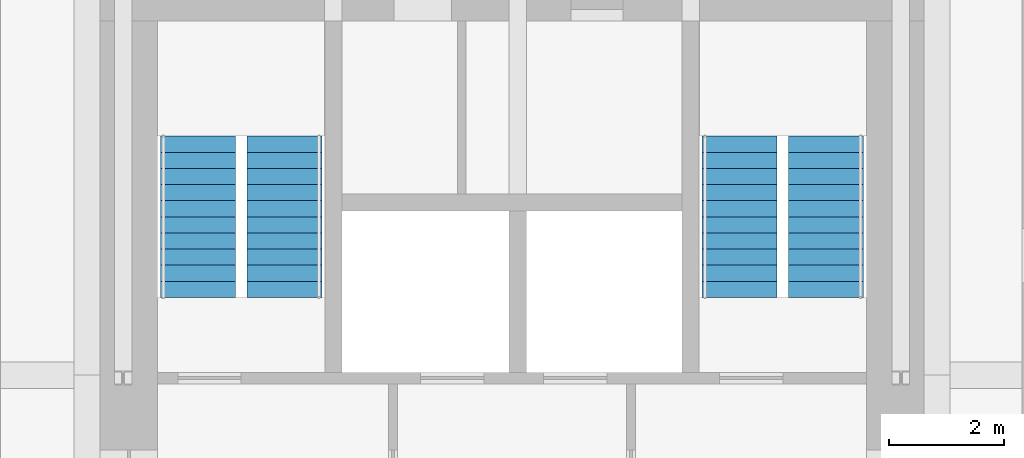
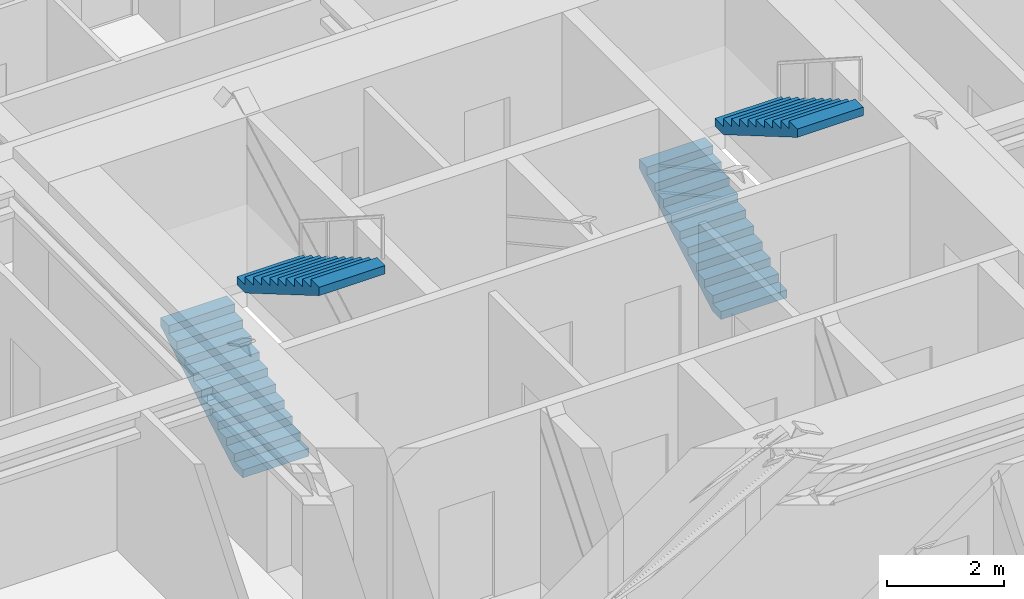
# One storey, part 9 of 10: 4 stair flights, 2 elements without a shape of their own.
"""IFC4 building model written with IfcOpenShell, lengths in metres."""

from ifc_helpers import new_model, si_unit, direction, frame, origin, place, context, subcontext, project, spatial, polyline, outline, extrude, material, type_object, element, aggregate, save


model = new_model("IFC4")

# Units and contexts
model_context = context("Model", 3, precision=1e-05, world=origin(), true_north=direction((0.0, 1.0)))
body_context = subcontext(model_context, "Body", "Model", "MODEL_VIEW")
ifc_project = project(units=[si_unit("LENGTHUNIT", "METRE"), si_unit("AREAUNIT", "SQUARE_METRE"), si_unit("VOLUMEUNIT", "CUBIC_METRE"), si_unit("PLANEANGLEUNIT", "RADIAN"), si_unit("MASSUNIT", "GRAM", prefix="KILO")], contexts=[model_context])

# Site, building, storey
site_placement = place(None, origin())
site = spatial("IfcSite", under=ifc_project, at=site_placement, CompositionType="ELEMENT")
building_placement = place(site_placement, origin())
building = spatial("IfcBuilding", under=site, at=building_placement, Name="Nyansa Garden Tower", CompositionType="ELEMENT")
storey_placement = place(building_placement, frame((0.0, 0.0, 142.199951171875)))
storey = spatial("IfcBuildingStorey", under=building, at=storey_placement, Name="L38", CompositionType="ELEMENT", Elevation=142.199951171875)

# Stair, stair flights
ifc_material_1 = material(Name="Precast concrete C40/50", Category="concrete")
stair_type_1 = type_object("IfcStairType", Name="Stair S1 164x280", PredefinedType="HALF_TURN_STAIR", material=ifc_material_1)
stair_1_placement = place(storey_placement, origin())
stair_1 = element("IfcStair", 1, at=stair_1_placement, inside=storey, type_object=stair_type_1, Name="Stair S1 L38", PredefinedType="HALF_TURN_STAIR")
ifc_material_2 = material(Name="Precast concrete C40/50", Category="concrete")
stair_flight_type_1 = type_object("IfcStairFlightType", Name="Stair flight S1 164x280x11", PredefinedType="STRAIGHT", material=ifc_material_2)
stair_flight_1_placement = place(storey_placement, frame((14.800048828125, 21.60009765625, 0.0), z_axis=(0.0, 0.0, 1.0), x_axis=(0.0, 1.0, 0.0)))
stair_flight_1 = element("IfcStairFlight", 2, at=stair_flight_1_placement, type_object=stair_flight_type_1, Name="S1 flight 1", NumberOfRisers=11, NumberOfTreads=10, PredefinedType="STRAIGHT", RiserHeight=0.163636364, TreadLength=0.28, context=body_context, shape_type="SweptSolid", body=[
    extrude(outline(polyline([(0.0, 0.0), (0.0, 0.16357421875), (0.280029296875, 0.16357421875), (0.280029296875, 0.327392578125), (0.56005859375, 0.327392578125), (0.56005859375, 0.490966796875), (0.840087890625, 0.490966796875), (0.840087890625, 0.654541015625), (1.1201171875, 0.654541015625), (1.1201171875, 0.818115234375), (1.39990234375, 0.818115234375), (1.39990234375, 0.98193359375), (1.679931640625, 0.98193359375), (1.679931640625, 1.1455078125), (1.9599609375, 1.1455078125), (1.9599609375, 1.30908203125), (2.239990234375, 1.30908203125), (2.239990234375, 1.47265625), (2.52001953125, 1.47265625), (2.52001953125, 1.636474609375), (2.800048828125, 1.636474609375), (2.800048828125, 1.800048828125), (2.800048828125, 1.462646484375), (0.297119140625, 0.0), (0.0, 0.0)])), frame((0.0, 0.64990234375, 0.0), z_axis=(0.0, -1.0, 0.0), x_axis=(1.0, 0.0, 0.0)), (0.0, 0.0, 1.0), 1.300048828125),
])
stair_flight_2_placement = place(storey_placement, frame((16.300048828125, 24.39990234375, 1.800048828125), z_axis=(0.0, 0.0, 1.0), x_axis=(0.0, -1.0, 0.0)))
stair_flight_2 = element("IfcStairFlight", 3, at=stair_flight_2_placement, type_object=stair_flight_type_1, Name="S1 flight 2", NumberOfRisers=11, NumberOfTreads=10, PredefinedType="STRAIGHT", RiserHeight=0.163636364, TreadLength=0.28, context=body_context, shape_type="SweptSolid", body=[
    extrude(outline(polyline([(0.0, 0.0), (0.0, 0.16357421875), (0.280029296875, 0.16357421875), (0.280029296875, 0.327392578125), (0.56005859375, 0.327392578125), (0.56005859375, 0.490966796875), (0.840087890625, 0.490966796875), (0.840087890625, 0.654541015625), (1.1201171875, 0.654541015625), (1.1201171875, 0.818115234375), (1.39990234375, 0.818115234375), (1.39990234375, 0.98193359375), (1.679931640625, 0.98193359375), (1.679931640625, 1.1455078125), (1.9599609375, 1.1455078125), (1.9599609375, 1.30908203125), (2.239990234375, 1.30908203125), (2.239990234375, 1.47265625), (2.52001953125, 1.47265625), (2.52001953125, 1.636474609375), (2.800048828125, 1.636474609375), (2.800048828125, 1.800048828125), (2.800048828125, 1.462646484375), (0.297119140625, 0.0), (0.0, 0.0)])), frame((0.0, 0.64990234375, 0.0), z_axis=(0.0, -1.0, 0.0), x_axis=(1.0, 0.0, 0.0)), (0.0, 0.0, 1.0), 1.300048828125),
])
aggregate(stair_1, [stair_flight_1, stair_flight_2])

ifc_material_3 = material(Name="Precast concrete C40/50", Category="concrete")
stair_type_2 = type_object("IfcStairType", Name="Stair S2 164x280", PredefinedType="HALF_TURN_STAIR", material=ifc_material_3)
stair_2_placement = place(storey_placement, origin())
stair_2 = element("IfcStair", 4, at=stair_2_placement, inside=storey, type_object=stair_type_2, Name="Stair S2 L38", PredefinedType="HALF_TURN_STAIR")
ifc_material_4 = material(Name="Precast concrete C40/50", Category="concrete")
stair_flight_type_2 = type_object("IfcStairFlightType", Name="Stair flight S2 164x280x11", PredefinedType="STRAIGHT", material=ifc_material_4)
stair_flight_3_placement = place(storey_placement, frame((24.199951171875, 21.60009765625, 0.0), z_axis=(0.0, 0.0, 1.0), x_axis=(0.0, 1.0, 0.0)))
stair_flight_3 = element("IfcStairFlight", 5, at=stair_flight_3_placement, type_object=stair_flight_type_2, Name="S2 flight 1", NumberOfRisers=11, NumberOfTreads=10, PredefinedType="STRAIGHT", RiserHeight=0.163636364, TreadLength=0.28, context=body_context, shape_type="SweptSolid", body=[
    extrude(outline(polyline([(0.0, 0.0), (0.0, 0.16357421875), (0.280029296875, 0.16357421875), (0.280029296875, 0.327392578125), (0.56005859375, 0.327392578125), (0.56005859375, 0.490966796875), (0.840087890625, 0.490966796875), (0.840087890625, 0.654541015625), (1.1201171875, 0.654541015625), (1.1201171875, 0.818115234375), (1.39990234375, 0.818115234375), (1.39990234375, 0.98193359375), (1.679931640625, 0.98193359375), (1.679931640625, 1.1455078125), (1.9599609375, 1.1455078125), (1.9599609375, 1.30908203125), (2.239990234375, 1.30908203125), (2.239990234375, 1.47265625), (2.52001953125, 1.47265625), (2.52001953125, 1.636474609375), (2.800048828125, 1.636474609375), (2.800048828125, 1.800048828125), (2.800048828125, 1.462646484375), (0.297119140625, 0.0), (0.0, 0.0)])), frame((0.0, 0.64990234375, 0.0), z_axis=(0.0, -1.0, 0.0), x_axis=(1.0, 0.0, 0.0)), (0.0, 0.0, 1.0), 1.300048828125),
])
stair_flight_4_placement = place(storey_placement, frame((25.699951171875, 24.39990234375, 1.800048828125), z_axis=(0.0, 0.0, 1.0), x_axis=(0.0, -1.0, 0.0)))
stair_flight_4 = element("IfcStairFlight", 6, at=stair_flight_4_placement, type_object=stair_flight_type_2, Name="S2 flight 2", NumberOfRisers=11, NumberOfTreads=10, PredefinedType="STRAIGHT", RiserHeight=0.163636364, TreadLength=0.28, context=body_context, shape_type="SweptSolid", body=[
    extrude(outline(polyline([(0.0, 0.0), (0.0, 0.16357421875), (0.280029296875, 0.16357421875), (0.280029296875, 0.327392578125), (0.56005859375, 0.327392578125), (0.56005859375, 0.490966796875), (0.840087890625, 0.490966796875), (0.840087890625, 0.654541015625), (1.1201171875, 0.654541015625), (1.1201171875, 0.818115234375), (1.39990234375, 0.818115234375), (1.39990234375, 0.98193359375), (1.679931640625, 0.98193359375), (1.679931640625, 1.1455078125), (1.9599609375, 1.1455078125), (1.9599609375, 1.30908203125), (2.239990234375, 1.30908203125), (2.239990234375, 1.47265625), (2.52001953125, 1.47265625), (2.52001953125, 1.636474609375), (2.800048828125, 1.636474609375), (2.800048828125, 1.800048828125), (2.800048828125, 1.462646484375), (0.297119140625, 0.0), (0.0, 0.0)])), frame((0.0, 0.64990234375, 0.0), z_axis=(0.0, -1.0, 0.0), x_axis=(1.0, 0.0, 0.0)), (0.0, 0.0, 1.0), 1.300048828125),
])
aggregate(stair_2, [stair_flight_3, stair_flight_4])

save(model, "model.ifc")
